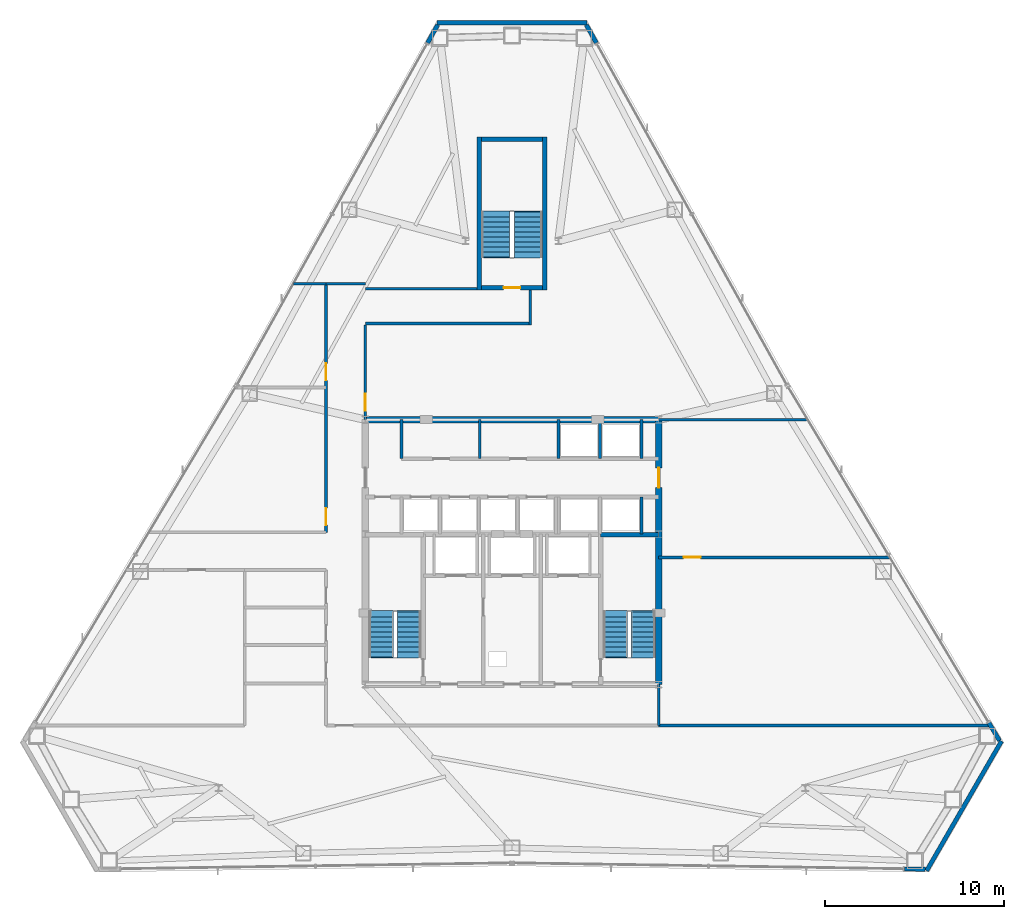
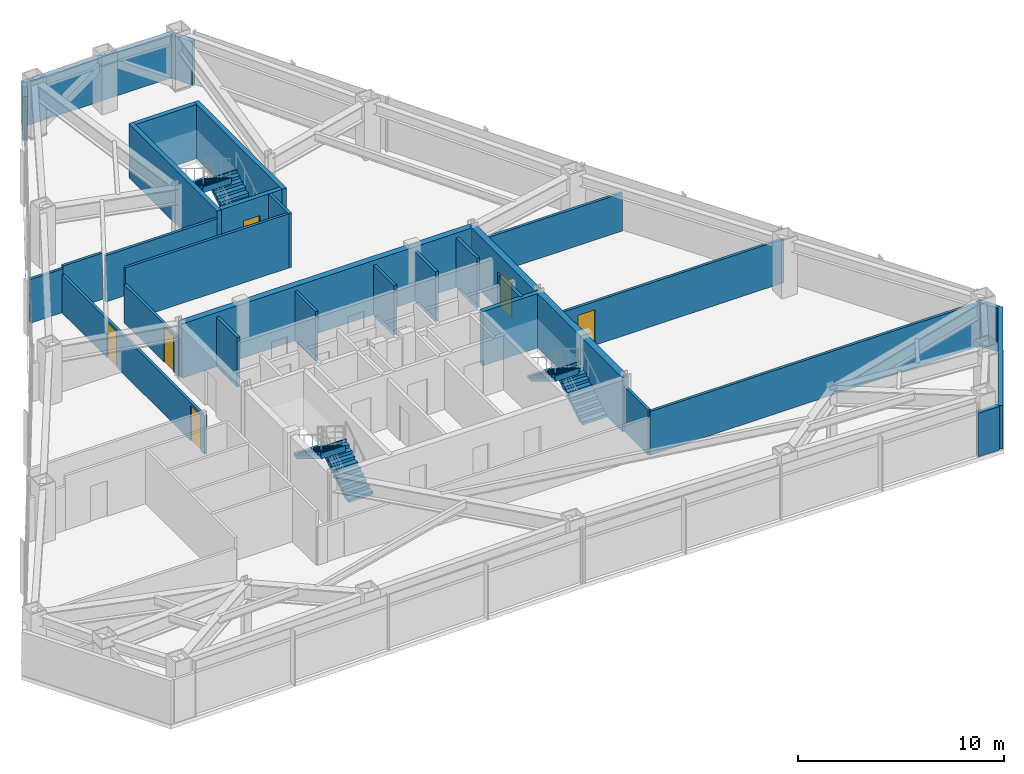
# One storey, part 10 of 11: 30 walls, 6 doors, 6 stair flights, 6 openings, 3 elements without a shape of their own.
"""IFC4 building model written with IfcOpenShell, lengths in metres."""

import ifcopenshell
import ifcopenshell.guid

model = None  # the IFC model being written
_history = None  # IfcOwnerHistory: only IFC2X3 demands one
_inside = {}  # id of a spatial element -> (the spatial element, [elements in it])
_under = {}  # id of a project, library or spatial element -> (it, [spatial elements below it])
_declared = {}  # id of a project -> (the project, [libraries it declares])
_typed = {}  # id of a type object -> (the type object, [elements of that type])
_made_of = {}  # id of a material, layer set ... -> (it, [elements and type objects made of it])


def new_model(schema):
    """Start an empty IFC model of exactly this schema.

    Asked for "IFC4X3", IfcOpenShell would pick the latest addendum, in which some entities
    have other attributes; the version numbers below select the first issue.
    IFC2X3 requires an IfcOwnerHistory on every rooted entity: one is made here for all.
    """
    global model, _history
    if schema == "IFC4X3":
        model = ifcopenshell.file(schema_version=(4, 3, 0, 0))
    else:
        model = ifcopenshell.file(schema=schema)
    _inside.clear()
    _under.clear()
    _declared.clear()
    _typed.clear()
    _made_of.clear()
    _history = None
    if model.schema == "IFC2X3":
        org = make("IfcOrganization", Name="unknown")
        user = make(
            "IfcPersonAndOrganization",
            ThePerson=make("IfcPerson", FamilyName="unknown"),
            TheOrganization=org,
        )
        app = make(
            "IfcApplication",
            ApplicationDeveloper=org,
            Version="unknown",
            ApplicationFullName="unknown",
            ApplicationIdentifier="unknown",
        )
        _history = make(
            "IfcOwnerHistory",
            OwningUser=user,
            OwningApplication=app,
            ChangeAction="ADDED",
            CreationDate=0,
        )
    return model


def make(cls, **values):
    """One entity of the class cls with the attributes given. An attribute that is None is left unset."""
    return model.create_entity(
        cls, **{name: value for name, value in values.items() if value is not None}
    )


def rooted(cls, **values):
    """An entity with a GlobalId (a new one), such as an element, a storey or a relation."""
    return make(cls, GlobalId=ifcopenshell.guid.new(), OwnerHistory=_history, **values)


def si_unit(unit_type, name, prefix=None):
    """IfcSIUnit, for example si_unit("LENGTHUNIT", "METRE", prefix="MILLI")."""
    return make("IfcSIUnit", UnitType=unit_type, Prefix=prefix, Name=name)


def assignment(units):
    """IfcUnitAssignment: the units of a project."""
    return None if units is None else make("IfcUnitAssignment", Units=units)


def point(xyz):
    """IfcCartesianPoint."""
    return None if xyz is None else make("IfcCartesianPoint", Coordinates=xyz)


def direction(xyz):
    """IfcDirection."""
    return None if xyz is None else make("IfcDirection", DirectionRatios=xyz)


def frame(location, z_axis=None, x_axis=None):
    """IfcAxis2Placement3D, a coordinate frame: its origin and axes. An axis left out is left unset."""
    return make(
        "IfcAxis2Placement3D",
        Location=point(location),
        Axis=direction(z_axis),
        RefDirection=direction(x_axis),
    )


def frame_2d(location, x_axis=None):
    """IfcAxis2Placement2D, a coordinate frame in the plane: its origin and x axis."""
    return make(
        "IfcAxis2Placement2D", Location=point(location), RefDirection=direction(x_axis)
    )


def origin():
    """The frame at (0, 0, 0) with its axes left unset."""
    return frame((0.0, 0.0, 0.0))


def place(relative_to, where):
    """IfcLocalPlacement: puts the frame where relative to a parent placement (None: the world)."""
    return make(
        "IfcLocalPlacement", PlacementRelTo=relative_to, RelativePlacement=where
    )


def context(
    kind, dimensions, precision=None, world=None, true_north=None, identifier=None
):
    """IfcGeometricRepresentationContext, for example the 3D "Model" context."""
    return make(
        "IfcGeometricRepresentationContext",
        ContextIdentifier=identifier,
        ContextType=kind,
        CoordinateSpaceDimension=dimensions,
        Precision=precision,
        WorldCoordinateSystem=world,
        TrueNorth=true_north,
    )


def subcontext(parent, identifier, kind, view, scale=None):
    """IfcGeometricRepresentationSubContext, for example "Body" below "Model"."""
    return make(
        "IfcGeometricRepresentationSubContext",
        ContextIdentifier=identifier,
        ContextType=kind,
        ParentContext=parent,
        TargetScale=scale,
        TargetView=view,
    )


def project(units=None, contexts=None):
    """IfcProject with its units and contexts."""
    return rooted(
        "IfcProject",
        Name="project",
        RepresentationContexts=contexts,
        UnitsInContext=assignment(units),
    )


def spatial(cls, under=None, at=None, **own):
    """A site, building, storey or space (cls), placed at a placement, below another one or the project."""
    s = rooted(cls, ObjectPlacement=at, **own)
    if under is not None:
        _under.setdefault(under.id(), (under, []))[1].append(s)
    return s


def polyline(points):
    """IfcPolyline through the points."""
    return make("IfcPolyline", Points=[point(p) for p in points])


def profile(cls, at=None, kind="AREA", **sizes):
    """A parametric profile (cls). Its sizes go by their IFC names, for example OverallWidth=200.0."""
    return make(cls, ProfileType=kind, Position=at, **sizes)


def rectangle(**sizes):
    """IfcRectangleProfileDef."""
    return profile("IfcRectangleProfileDef", **sizes)


def outline(outer, holes=None, kind="AREA"):
    """IfcArbitraryClosedProfileDef: a profile drawn as a closed curve; with holes, ...WithVoids."""
    if holes is None:
        return make("IfcArbitraryClosedProfileDef", ProfileType=kind, OuterCurve=outer)
    return make(
        "IfcArbitraryProfileDefWithVoids",
        ProfileType=kind,
        OuterCurve=outer,
        InnerCurves=holes,
    )


def extrude(swept, where, along, depth):
    """IfcExtrudedAreaSolid: the profile swept, set in the frame where, extruded along a direction by depth."""
    return make(
        "IfcExtrudedAreaSolid",
        SweptArea=swept,
        Position=where,
        ExtrudedDirection=direction(along),
        Depth=depth,
    )


def shape(context_of_items, identifier, shape_type, items):
    """IfcShapeRepresentation: the items that make up one representation, for example the "Body"."""
    return make(
        "IfcShapeRepresentation",
        ContextOfItems=context_of_items,
        RepresentationIdentifier=identifier,
        RepresentationType=shape_type,
        Items=items,
    )


def material(Name=None, Category=None):
    """IfcMaterial."""
    return make("IfcMaterial", Name=Name, Category=Category)


def layer(
    of_material, thickness, ventilated=None, Name=None, Category=None, Priority=None
):
    """IfcMaterialLayer: one layer of a wall or slab, of a material (None: an air gap)."""
    return make(
        "IfcMaterialLayer",
        Material=of_material,
        LayerThickness=thickness,
        IsVentilated=ventilated,
        Name=Name,
        Category=Category,
        Priority=Priority,
    )


def layer_set(layers, Name=None):
    """IfcMaterialLayerSet."""
    return make("IfcMaterialLayerSet", MaterialLayers=layers, LayerSetName=Name)


def made_of(thing, what):
    """Note that an element or type object is made of a material, layer set ...; save() writes the relation."""
    if what is not None:
        _made_of.setdefault(what.id(), (what, []))[1].append(thing)
    return thing


def type_object(cls, material=None, **own):
    """A type object (cls), such as IfcWallType, which elements share."""
    return made_of(rooted(cls, **own), material)


def element(
    cls,
    number,
    at=None,
    inside=None,
    cuts=None,
    type_object=None,
    material=None,
    context=None,
    identifier="Body",
    shape_type=None,
    held_by="IfcProductDefinitionShape",
    body=None,
    shapes=None,
    **own,
):
    """One element of the class cls, such as IfcWall. Its Tag is "e" and its number.

    at: its placement. inside: the storey or other place that contains it. cuts: it is an
    opening in that element (IfcRelVoidsElement). A single representation is given by context,
    identifier, shape_type and body (its items); several are given by shapes. held_by: the class
    of the entity that holds the representations. save() writes the other relations.
    """
    e = rooted(cls, Tag="e%d" % number, ObjectPlacement=at, **own)
    if body is not None:
        shapes = [shape(context, identifier, shape_type, body)]
    if shapes is not None:
        e.Representation = make(held_by, Representations=shapes)
    if inside is not None:
        _inside.setdefault(inside.id(), (inside, []))[1].append(e)
    if cuts is not None:
        rooted(
            "IfcRelVoidsElement", RelatingBuildingElement=cuts, RelatedOpeningElement=e
        )
    if type_object is not None:
        _typed.setdefault(type_object.id(), (type_object, []))[1].append(e)
    return made_of(e, material)


def fill(opening, filler):
    """IfcRelFillsElement: the door or window that sits in an opening."""
    return rooted(
        "IfcRelFillsElement",
        RelatingOpeningElement=opening,
        RelatedBuildingElement=filler,
    )


def aggregate(whole, parts):
    """IfcRelAggregates: a whole, such as a stair, and the parts it consists of."""
    return rooted("IfcRelAggregates", RelatingObject=whole, RelatedObjects=parts)


def save(model, path):
    """Write the relations noted so far, then the file.

    IfcRelAggregates (storeys below a building ...), IfcRelContainedInSpatialStructure (elements
    in a storey), IfcRelDefinesByType, IfcRelAssociatesMaterial and IfcRelDeclares: one each for
    every whole, place, type object, material and project.
    """
    for whole, parts in _under.values():
        aggregate(whole, parts)
    for where, things in _inside.values():
        rooted(
            "IfcRelContainedInSpatialStructure",
            RelatedElements=things,
            RelatingStructure=where,
        )
    for kind, things in _typed.values():
        rooted("IfcRelDefinesByType", RelatedObjects=things, RelatingType=kind)
    for what, things in _made_of.values():
        rooted("IfcRelAssociatesMaterial", RelatedObjects=things, RelatingMaterial=what)
    for by, libraries in _declared.values():
        rooted("IfcRelDeclares", RelatingContext=by, RelatedDefinitions=libraries)
    model.write(path)


model = new_model("IFC4")

# Units and contexts
model_context = context("Model", 3, precision=1e-05, world=origin(), true_north=direction((0.0, 1.0)))
body_context = subcontext(model_context, "Body", "Model", "MODEL_VIEW")
ifc_project = project(units=[si_unit("LENGTHUNIT", "METRE"), si_unit("AREAUNIT", "SQUARE_METRE"), si_unit("VOLUMEUNIT", "CUBIC_METRE"), si_unit("PLANEANGLEUNIT", "RADIAN"), si_unit("MASSUNIT", "GRAM", prefix="KILO")], contexts=[model_context])

# Site, building, storey
site_placement = place(None, origin())
site = spatial("IfcSite", under=ifc_project, at=site_placement, CompositionType="ELEMENT")
building_placement = place(site_placement, origin())
building = spatial("IfcBuilding", under=site, at=building_placement, Name="Varakhsha Concourse Tower", CompositionType="ELEMENT")
storey_placement = place(building_placement, frame((0.0, 0.0, 140.14990234375)))
storey = spatial("IfcBuildingStorey", under=building, at=storey_placement, Name="L40", CompositionType="ELEMENT", Elevation=140.14990234375)

# Wall
ifc_material_1 = material(Name="Concrete fc 65 MPa", Category="concrete")
ifc_layer_1 = layer(ifc_material_1, 0.35009765625, Name="WL-CORE-350")
ifc_layer_set_1 = layer_set([ifc_layer_1], Name="Concrete fc 65 MPa")
wall_type_1 = type_object("IfcWallType", Name="WL-CORE-350", PredefinedType="SHEAR", material=ifc_layer_set_1)
wall_1_placement = place(storey_placement, frame((31.800048828125, 31.199951171875, 0.0), z_axis=(0.0, 0.0, 1.0), x_axis=(1.0, 0.0, 0.0)))
element("IfcWall", 1, at=wall_1_placement, inside=storey, type_object=wall_type_1, Name="L40 Wall CWALL-N-L40", PredefinedType="SHEAR", context=body_context, shape_type="SweptSolid", body=[
    extrude(rectangle(XDim=16.39990234375, YDim=0.35009765625, at=frame_2d((8.199951171875, 0.0))), origin(), (0.0, 0.0, 1.0), 3.210205078125),
])

# Wall, opening, door
wall_2_placement = place(storey_placement, frame((48.199951171875, 16.39990234375, 0.0), z_axis=(0.0, 0.0, 1.0), x_axis=(0.0, 1.0, 0.0)))
wall_2 = element("IfcWall", 2, at=wall_2_placement, inside=storey, type_object=wall_type_1, Name="L40 Wall CWALL-E-L40", PredefinedType="SHEAR", context=body_context, shape_type="SweptSolid", body=[
    extrude(rectangle(XDim=14.800048828125, YDim=0.35009765625, at=frame_2d((7.39990234375, 0.0))), origin(), (0.0, 0.0, 1.0), 3.210205078125),
])
opening_1_placement = place(wall_2_placement, frame((11.0, 0.0, 0.0)))
opening_1 = element("IfcOpeningElement", 3, at=opening_1_placement, cuts=wall_2, Name="Opening DL-01", PredefinedType="OPENING", context=body_context, shape_type="SweptSolid", body=[
    extrude(rectangle(XDim=1.10009765625, YDim=2.14990234375, at=frame_2d((0.550048828125, 1.074951171875))), frame((0.0, 0.18505859375, 0.0), z_axis=(0.0, -1.0, 0.0), x_axis=(1.0, 0.0, 0.0)), (0.0, 0.0, 1.0), 0.3701171875),
])
ifc_material_2 = material(Name="Anodised Bronze Architectural Aluminium AA 6063-T6", Category="aluminium")
door_type_1 = type_object("IfcDoorType", Name="DR-LOB-1100", OperationType="NOTDEFINED", PredefinedType="DOOR", material=ifc_material_2)
door_1_placement = place(opening_1_placement, origin())
door_1 = element("IfcDoor", 4, at=door_1_placement, inside=storey, type_object=door_type_1, Name="L40 Lift Lobby East Concourse Door", OperationType="SINGLE_SWING_RIGHT", OverallHeight=2.14990234375, OverallWidth=1.10009765625, PredefinedType="DOOR", context=body_context, shape_type="SweptSolid", body=[
    extrude(rectangle(XDim=1.10009765625, YDim=2.14990234375, at=frame_2d((0.550048828125, 1.074951171875))), frame((0.0, 0.02490234375, 0.0), z_axis=(0.0, -1.0, 0.0), x_axis=(1.0, 0.0, 0.0)), (0.0, 0.0, 1.0), 0.050048828125),
])
fill(opening_1, door_1)

# Walls
ifc_material_3 = material(Name="Concrete fc 45 MPa", Category="concrete")
ifc_layer_2 = layer(ifc_material_3, 0.239990234375, Name="WL-EXT-CRN-240")
ifc_layer_set_2 = layer_set([ifc_layer_2], Name="Concrete fc 45 MPa")
wall_type_2 = type_object("IfcWallType", Name="WL-EXT-CRN-240", PredefinedType="SHEAR", material=ifc_layer_set_2)
wall_3_placement = place(storey_placement, frame((35.814208984375, 53.39013671875, 0.0), z_axis=(0.0, 0.0, 1.0), x_axis=(1.0, 0.0, 0.0)))
element("IfcWall", 5, at=wall_3_placement, inside=storey, type_object=wall_type_2, Name="L40 Chamfer Wind-Corner Insulated Wall F1", PredefinedType="SHEAR", context=body_context, shape_type="SweptSolid", body=[
    extrude(rectangle(XDim=8.37158203125, YDim=0.239990234375, at=frame_2d((4.185791015625, 0.0))), origin(), (0.0, 0.0, 1.0), 2.5830078125),
])
wall_4_placement = place(storey_placement, frame((35.846923828125, 53.280029296875, 0.0), z_axis=(0.0, 0.0, 1.0), x_axis=(-0.486837240698, -0.873492702356, 0.0)))
element("IfcWall", 6, at=wall_4_placement, inside=storey, type_object=wall_type_2, Name="L40 Wind-Corner Shoulder Wall F2", PredefinedType="SHEAR", context=body_context, shape_type="SweptSolid", body=[
    extrude(rectangle(XDim=1.162353515625, YDim=0.239990234375, at=frame_2d((0.5810546875, 0.0))), origin(), (0.0, 0.0, 1.0), 2.5830078125),
])
wall_5_placement = place(storey_placement, frame((61.945068359375, 6.080810546875, 0.0), z_axis=(0.0, 0.0, 1.0), x_axis=(0.999885668961, -0.015121144332, 0.0)))
element("IfcWall", 7, at=wall_5_placement, inside=storey, type_object=wall_type_2, Name="L40 Wind-Corner Shoulder Wall F6", PredefinedType="SHEAR", context=body_context, shape_type="SweptSolid", body=[
    extrude(rectangle(XDim=1.16259765625, YDim=0.239990234375, at=frame_2d((0.581298828125, 0.0))), origin(), (0.0, 0.0, 1.0), 2.5830078125),
])
wall_6_placement = place(storey_placement, frame((67.372314453125, 13.229736328125, 0.0), z_axis=(0.0, 0.0, 1.0), x_axis=(-0.500012768347, -0.86601803185, 0.0)))
element("IfcWall", 8, at=wall_6_placement, inside=storey, type_object=wall_type_2, Name="L40 Chamfer Wind-Corner Insulated Wall F7", PredefinedType="SHEAR", context=body_context, shape_type="SweptSolid", body=[
    extrude(rectangle(XDim=8.371337890625, YDim=0.239990234375, at=frame_2d((4.185546875, 0.0))), origin(), (0.0, 0.0, 1.0), 2.5830078125),
])
for number, where, z_axis, x_axis, name in (
    (9, (67.260498046875, 13.256591796875, 0.0), (0.0, 0.0, 1.0), (-0.512919581386, 0.858436662213, 0.0), "L40 Wind-Corner Shoulder Wall F8"),
    (10, (44.718994140625, 52.2646484375, 0.0), (0.0, 0.0, 1.0), (-0.486837240698, 0.873492702356, 0.0), "L40 Wind-Corner Shoulder Wall F9"),
):
    element("IfcWall", number, at=place(storey_placement, frame(where, z_axis=z_axis, x_axis=x_axis)), inside=storey, type_object=wall_type_2, Name=name, PredefinedType="SHEAR", context=body_context, shape_type="SweptSolid", body=[
        extrude(rectangle(XDim=1.162353515625, YDim=0.239990234375, at=frame_2d((0.5810546875, 0.0))), origin(), (0.0, 0.0, 1.0), 2.5830078125),
    ])
ifc_material_4 = material(Name="Fire-Rated Type X Gypsum Partition Assembly", Category="gypsum")
ifc_layer_3 = layer(ifc_material_4, 0.14990234375, Name="WL-PART-150")
ifc_layer_set_3 = layer_set([ifc_layer_3], Name="Fire-Rated Type X Gypsum Partition Assembly")
wall_type_3 = type_object("IfcWallType", Name="WL-PART-150", PredefinedType="PARTITIONING", material=ifc_layer_set_3)
wall_7_placement = place(storey_placement, frame((38.199951171875, 29.02001953125, 0.0), z_axis=(0.0, 0.0, 1.0), x_axis=(0.0, 1.0, 0.0)))
element("IfcWall", 11, at=wall_7_placement, inside=storey, type_object=wall_type_3, Name="L40 Wall P1F-D1-L40", PredefinedType="PARTITIONING", context=body_context, shape_type="SweptSolid", body=[
    extrude(rectangle(XDim=2.179931640625, YDim=0.14990234375, at=frame_2d((1.08984375, 0.0))), origin(), (0.0, 0.0, 1.0), 2.93798828125),
])
wall_8_placement = place(storey_placement, frame((48.199951171875, 14.10009765625, 0.0), z_axis=(0.0, 0.0, 1.0), x_axis=(0.0, 1.0, 0.0)))
element("IfcWall", 12, at=wall_8_placement, inside=storey, type_object=wall_type_3, Name="L40 Wall CRW-SE-L40", PredefinedType="PARTITIONING", context=body_context, shape_type="SweptSolid", body=[
    extrude(rectangle(XDim=2.2998046875, YDim=0.14990234375, at=frame_2d((1.14990234375, 0.0))), origin(), (0.0, 0.0, 1.0), 2.6611328125),
])

# Wall, openings, doors
wall_9_placement = place(storey_placement, frame((29.60009765625, 24.89990234375, 0.0), z_axis=(0.0, 0.0, 1.0), x_axis=(0.0, 1.0, 0.0)))
wall_9 = element("IfcWall", 13, at=wall_9_placement, inside=storey, type_object=wall_type_3, Name="L40 Wall CRW-WN-L40", PredefinedType="PARTITIONING", context=body_context, shape_type="SweptSolid", body=[
    extrude(rectangle(XDim=13.900146484375, YDim=0.14990234375, at=frame_2d((6.9501953125, 0.0))), origin(), (0.0, 0.0, 1.0), 2.252197265625),
])
opening_2_placement = place(wall_9_placement, frame((0.39990234375, 0.0, 0.0)))
opening_2 = element("IfcOpeningElement", 14, at=opening_2_placement, cuts=wall_9, Name="Opening DF-05", PredefinedType="OPENING", context=body_context, shape_type="SweptSolid", body=[
    extrude(rectangle(XDim=0.949951171875, YDim=2.10009765625, at=frame_2d((0.47509765625, 1.050048828125))), frame((0.0, 0.0849609375, 0.0), z_axis=(0.0, -1.0, 0.0), x_axis=(1.0, 0.0, 0.0)), (0.0, 0.0, 1.0), 0.169921875),
])
opening_3_placement = place(wall_9_placement, frame((8.5, 0.0, 0.0)))
opening_3 = element("IfcOpeningElement", 15, at=opening_3_placement, cuts=wall_9, Name="Opening DF-05", PredefinedType="OPENING", context=body_context, shape_type="SweptSolid", body=[
    extrude(rectangle(XDim=0.949951171875, YDim=2.10009765625, at=frame_2d((0.47509765625, 1.050048828125))), frame((0.0, 0.0849609375, 0.0), z_axis=(0.0, -1.0, 0.0), x_axis=(1.0, 0.0, 0.0)), (0.0, 0.0, 1.0), 0.169921875),
])
ifc_material_5 = material(Name="Hollow Galvanised Steel Fire Door Assembly", Category="steel")
door_type_2 = type_object("IfcDoorType", Name="DR-FD60-950", OperationType="NOTDEFINED", PredefinedType="DOOR", material=ifc_material_5)
door_2_placement = place(opening_2_placement, origin())
door_2 = element("IfcDoor", 16, at=door_2_placement, inside=storey, type_object=door_type_2, Name="L40 Institutional Client Office L40-NW Door", OperationType="SINGLE_SWING_RIGHT", OverallHeight=2.10009765625, OverallWidth=0.949951171875, PredefinedType="DOOR", context=body_context, shape_type="SweptSolid", body=[
    extrude(rectangle(XDim=0.949951171875, YDim=2.10009765625, at=frame_2d((0.47509765625, 1.050048828125))), frame((0.0, 0.02490234375, 0.0), z_axis=(0.0, -1.0, 0.0), x_axis=(1.0, 0.0, 0.0)), (0.0, 0.0, 1.0), 0.050048828125),
])
fill(opening_2, door_2)
door_3_placement = place(opening_3_placement, origin())
door_3 = element("IfcDoor", 17, at=door_3_placement, inside=storey, type_object=door_type_2, Name="L40 Quantitative Analytics Studio L40-W2 Door", OperationType="SINGLE_SWING_LEFT", OverallHeight=2.10009765625, OverallWidth=0.949951171875, PredefinedType="DOOR", context=body_context, shape_type="SweptSolid", body=[
    extrude(rectangle(XDim=0.949951171875, YDim=2.10009765625, at=frame_2d((0.47509765625, 1.050048828125))), frame((0.0, 0.02490234375, 0.0), z_axis=(0.0, -1.0, 0.0), x_axis=(1.0, 0.0, 0.0)), (0.0, 0.0, 1.0), 0.050048828125),
])
fill(opening_3, door_3)

# Wall, opening, door
wall_10_placement = place(storey_placement, frame((31.800048828125, 31.199951171875, 0.0), z_axis=(0.0, 0.0, 1.0), x_axis=(0.0, 1.0, 0.0)))
wall_10 = element("IfcWall", 18, at=wall_10_placement, inside=storey, type_object=wall_type_3, Name="L40 Wall CRW-NE-L40", PredefinedType="PARTITIONING", context=body_context, shape_type="SweptSolid", body=[
    extrude(rectangle(XDim=5.300048828125, YDim=0.14990234375, at=frame_2d((2.64990234375, 0.0))), origin(), (0.0, 0.0, 1.0), 2.252197265625),
])
opening_4_placement = place(wall_10_placement, frame((0.5, 0.0, 0.0)))
opening_4 = element("IfcOpeningElement", 19, at=opening_4_placement, cuts=wall_10, Name="Opening DF-05", PredefinedType="OPENING", context=body_context, shape_type="SweptSolid", body=[
    extrude(rectangle(XDim=0.949951171875, YDim=2.10009765625, at=frame_2d((0.47509765625, 1.050048828125))), frame((0.0, 0.0849609375, 0.0), z_axis=(0.0, -1.0, 0.0), x_axis=(1.0, 0.0, 0.0)), (0.0, 0.0, 1.0), 0.169921875),
])
door_4_placement = place(opening_4_placement, origin())
door_4 = element("IfcDoor", 20, at=door_4_placement, inside=storey, type_object=door_type_2, Name="L40 Mountain View Portfolio Risk Office L40-NE1 Door", OperationType="SINGLE_SWING_RIGHT", OverallHeight=2.10009765625, OverallWidth=0.949951171875, PredefinedType="DOOR", context=body_context, shape_type="SweptSolid", body=[
    extrude(rectangle(XDim=0.949951171875, YDim=2.10009765625, at=frame_2d((0.47509765625, 1.050048828125))), frame((0.0, 0.02490234375, 0.0), z_axis=(0.0, -1.0, 0.0), x_axis=(1.0, 0.0, 0.0)), (0.0, 0.0, 1.0), 0.050048828125),
])
fill(opening_4, door_4)

# Walls
wall_11_placement = place(storey_placement, frame((29.60009765625, 38.800048828125, 0.0), z_axis=(0.0, 0.0, 1.0), x_axis=(1.0, 0.0, 0.0)))
element("IfcWall", 21, at=wall_11_placement, inside=storey, type_object=wall_type_3, Name="L40 Wall CRW-NCAP-L40", PredefinedType="PARTITIONING", context=body_context, shape_type="SweptSolid", body=[
    extrude(rectangle(XDim=2.199951171875, YDim=0.14990234375, at=frame_2d((1.10009765625, 0.0))), origin(), (0.0, 0.0, 1.0), 2.7431640625),
])
wall_12_placement = place(storey_placement, frame((27.781005859375, 38.800048828125, 0.0), z_axis=(0.0, 0.0, 1.0), x_axis=(1.0, 0.0, 0.0)))
element("IfcWall", 22, at=wall_12_placement, inside=storey, type_object=wall_type_3, Name="L40 Wall ODIV-NWT-L40", PredefinedType="PARTITIONING", context=body_context, shape_type="SweptSolid", body=[
    extrude(rectangle(XDim=1.819091796875, YDim=0.14990234375, at=frame_2d((0.90966796875, 0.0))), origin(), (0.0, 0.0, 1.0), 2.589111328125),
])
wall_13_placement = place(storey_placement, frame((48.199951171875, 31.199951171875, 0.0), z_axis=(0.0, 0.0, 1.0), x_axis=(1.0, 0.0, 0.0)))
element("IfcWall", 23, at=wall_13_placement, inside=storey, type_object=wall_type_3, Name="L40 Wall ODIV-NEB-L40", PredefinedType="PARTITIONING", context=body_context, shape_type="SweptSolid", body=[
    extrude(rectangle(XDim=8.33154296875, YDim=0.14990234375, at=frame_2d((4.165771484375, 0.0))), origin(), (0.0, 0.0, 1.0), 2.252197265625),
])
wall_14_placement = place(storey_placement, frame((48.199951171875, 14.10009765625, 0.0), z_axis=(0.0, 0.0, 1.0), x_axis=(1.0, 0.0, 0.0)))
element("IfcWall", 24, at=wall_14_placement, inside=storey, type_object=wall_type_3, Name="L40 Wall ODIV-EB0-L40", PredefinedType="PARTITIONING", context=body_context, shape_type="SweptSolid", body=[
    extrude(rectangle(XDim=18.55078125, YDim=0.14990234375, at=frame_2d((9.275390625, 0.0))), origin(), (0.0, 0.0, 1.0), 2.589111328125),
])

# Wall, opening, door
wall_15_placement = place(storey_placement, frame((48.199951171875, 23.5, 0.0), z_axis=(0.0, 0.0, 1.0), x_axis=(1.0, 0.0, 0.0)))
wall_15 = element("IfcWall", 25, at=wall_15_placement, inside=storey, type_object=wall_type_3, Name="L40 Wall ODIV-E1-L40", PredefinedType="PARTITIONING", context=body_context, shape_type="SweptSolid", body=[
    extrude(rectangle(XDim=12.933349609375, YDim=0.14990234375, at=frame_2d((6.466796875, 0.0))), origin(), (0.0, 0.0, 1.0), 2.589111328125),
])
opening_5_placement = place(wall_15_placement, frame((1.39990234375, 0.0, 0.0)))
opening_5 = element("IfcOpeningElement", 26, at=opening_5_placement, cuts=wall_15, Name="Opening DF-05", PredefinedType="OPENING", context=body_context, shape_type="SweptSolid", body=[
    extrude(rectangle(XDim=0.949951171875, YDim=2.10009765625, at=frame_2d((0.47509765625, 1.050048828125))), frame((0.0, 0.0849609375, 0.0), z_axis=(0.0, -1.0, 0.0), x_axis=(1.0, 0.0, 0.0)), (0.0, 0.0, 1.0), 0.169921875),
])
door_5_placement = place(opening_5_placement, origin())
door_5 = element("IfcDoor", 27, at=door_5_placement, inside=storey, type_object=door_type_2, Name="L40 East Suite Interconnect Door 1", OperationType="SINGLE_SWING_LEFT", OverallHeight=2.10009765625, OverallWidth=0.949951171875, PredefinedType="DOOR", context=body_context, shape_type="SweptSolid", body=[
    extrude(rectangle(XDim=0.949951171875, YDim=2.10009765625, at=frame_2d((0.47509765625, 1.050048828125))), frame((0.0, 0.02490234375, 0.0), z_axis=(0.0, -1.0, 0.0), x_axis=(1.0, 0.0, 0.0)), (0.0, 0.0, 1.0), 0.050048828125),
])
fill(opening_5, door_5)

# Walls
wall_16_placement = place(storey_placement, frame((31.800048828125, 36.574951171875, 0.0), z_axis=(0.0, 0.0, 1.0), x_axis=(1.0, 0.0, 0.0)))
element("IfcWall", 28, at=wall_16_placement, inside=storey, type_object=wall_type_3, Name="L40 Wall STLK-S-L40", PredefinedType="PARTITIONING", context=body_context, shape_type="SweptSolid", body=[
    extrude(rectangle(XDim=9.14990234375, YDim=0.14990234375, at=frame_2d((4.574951171875, 0.0))), origin(), (0.0, 0.0, 1.0), 3.210205078125),
])
wall_17_placement = place(storey_placement, frame((31.800048828125, 38.52490234375, 0.0), z_axis=(0.0, 0.0, 1.0), x_axis=(1.0, 0.0, 0.0)))
element("IfcWall", 29, at=wall_17_placement, inside=storey, type_object=wall_type_3, Name="L40 Wall STLK-N-L40", PredefinedType="PARTITIONING", context=body_context, shape_type="SweptSolid", body=[
    extrude(rectangle(XDim=6.25, YDim=0.14990234375, at=frame_2d((3.125, 0.0))), origin(), (0.0, 0.0, 1.0), 2.7431640625),
])
wall_18_placement = place(storey_placement, frame((41.02490234375, 36.5, 0.0), z_axis=(0.0, 0.0, 1.0), x_axis=(0.0, 1.0, 0.0)))
element("IfcWall", 30, at=wall_18_placement, inside=storey, type_object=wall_type_3, Name="L40 Wall STLK-E-L40", PredefinedType="PARTITIONING", context=body_context, shape_type="SweptSolid", body=[
    extrude(rectangle(XDim=1.949951171875, YDim=0.14990234375, at=frame_2d((0.97509765625, 0.0))), origin(), (0.0, 0.0, 1.0), 3.210205078125),
])
ifc_layer_4 = layer(ifc_material_4, 0.199951171875, Name="WL-SHAFT-220")
ifc_layer_set_4 = layer_set([ifc_layer_4], Name="Fire-Rated Type X Gypsum Partition Assembly")
wall_type_4 = type_object("IfcWallType", Name="WL-SHAFT-220", PredefinedType="SOLIDWALL", material=ifc_layer_set_4)
for number, where, z_axis, x_axis, name in (
    (31, (33.820068359375, 29.02001953125, 0.0), (0.0, 0.0, 1.0), (0.0, 1.0, 0.0), "L40 Wall WBOH-E1-L40"),
    (32, (42.60009765625, 29.02001953125, 0.0), (0.0, 0.0, 1.0), (0.0, 1.0, 0.0), "L40 Wall SHW-LF-P09-W-L40"),
    (33, (44.919921875, 29.02001953125, 0.0), (0.0, 0.0, 1.0), (0.0, 1.0, 0.0), "L40 Wall SHW-LF-P09-E-L40"),
    (34, (47.239990234375, 29.02001953125, 0.0), (0.0, 0.0, 1.0), (0.0, 1.0, 0.0), "L40 Wall SHW-LF-P10-E-L40"),
):
    element("IfcWall", number, at=place(storey_placement, frame(where, z_axis=z_axis, x_axis=x_axis)), inside=storey, type_object=wall_type_4, Name=name, PredefinedType="SOLIDWALL", context=body_context, shape_type="SweptSolid", body=[
        extrude(rectangle(XDim=2.179931640625, YDim=0.159912109375, at=frame_2d((1.08984375, 0.0))), origin(), (0.0, 0.0, 1.0), 2.93798828125),
    ])
wall_19_placement = place(storey_placement, frame((47.239990234375, 24.800048828125, 0.0), z_axis=(0.0, 0.0, 1.0), x_axis=(0.0, 1.0, 0.0)))
element("IfcWall", 35, at=wall_19_placement, inside=storey, type_object=wall_type_4, Name="L40 Wall SHW-LF-P12-E-L40", PredefinedType="SOLIDWALL", context=body_context, shape_type="SweptSolid", body=[
    extrude(rectangle(XDim=2.079833984375, YDim=0.159912109375, at=frame_2d((1.0400390625, 0.0))), origin(), (0.0, 0.0, 1.0), 3.210205078125),
])
ifc_layer_5 = layer(ifc_material_3, 0.25, Name="WL-STAIR-250")
ifc_layer_set_5 = layer_set([ifc_layer_5], Name="Concrete fc 45 MPa")
wall_type_5 = type_object("IfcWallType", Name="WL-STAIR-250", PredefinedType="SHEAR", material=ifc_layer_set_5)
wall_20_placement = place(storey_placement, frame((44.955078125, 24.7548828125, 0.0), z_axis=(0.0, 0.0, 1.0), x_axis=(1.0, 0.0, 0.0)))
element("IfcWall", 36, at=wall_20_placement, inside=storey, type_object=wall_type_5, Name="L40 Wall SWALL-ST2-N-L40", PredefinedType="SHEAR", context=body_context, shape_type="SweptSolid", body=[
    extrude(rectangle(XDim=3.244873046875, YDim=0.25, at=frame_2d((1.62255859375, 0.0))), origin(), (0.0, 0.0, 1.0), 3.210205078125),
])
for number, where, z_axis, x_axis, name in (
    (37, (38.175048828125, 38.449951171875, 0.0), (0.0, 0.0, 1.0), (0.0, 1.0, 0.0), "L40 Wall SWALL-ST5-W-L40"),
    (38, (41.824951171875, 38.449951171875, 0.0), (0.0, 0.0, 1.0), (0.0, 1.0, 0.0), "L40 Wall SWALL-ST5-E-L40"),
):
    element("IfcWall", number, at=place(storey_placement, frame(where, z_axis=z_axis, x_axis=x_axis)), inside=storey, type_object=wall_type_5, Name=name, PredefinedType="SHEAR", context=body_context, shape_type="SweptSolid", body=[
        extrude(rectangle(XDim=8.550048828125, YDim=0.25, at=frame_2d((4.27490234375, 0.0))), origin(), (0.0, 0.0, 1.0), 3.210205078125),
    ])

# Wall, opening, door
wall_21_placement = place(storey_placement, frame((38.300048828125, 38.574951171875, 0.0), z_axis=(0.0, 0.0, 1.0), x_axis=(1.0, 0.0, 0.0)))
wall_21 = element("IfcWall", 39, at=wall_21_placement, inside=storey, type_object=wall_type_5, Name="L40 Wall SWALL-ST5-S-L40", PredefinedType="SHEAR", context=body_context, shape_type="SweptSolid", body=[
    extrude(rectangle(XDim=3.39990234375, YDim=0.25, at=frame_2d((1.699951171875, 0.0))), origin(), (0.0, 0.0, 1.0), 3.210205078125),
])
opening_6_placement = place(wall_21_placement, frame((1.22509765625, 0.0, 0.0)))
opening_6 = element("IfcOpeningElement", 40, at=opening_6_placement, cuts=wall_21, Name="Opening DF-03", PredefinedType="OPENING", context=body_context, shape_type="SweptSolid", body=[
    extrude(rectangle(XDim=0.949951171875, YDim=2.10009765625, at=frame_2d((0.47509765625, 1.050048828125))), frame((0.0, 0.135009765625, 0.0), z_axis=(0.0, -1.0, 0.0), x_axis=(1.0, 0.0, 0.0)), (0.0, 0.0, 1.0), 0.27001953125),
])
door_type_3 = type_object("IfcDoorType", Name="DR-FD90-950", OperationType="NOTDEFINED", PredefinedType="DOOR", material=ifc_material_5)
door_6_placement = place(opening_6_placement, origin())
door_6 = element("IfcDoor", 41, at=door_6_placement, inside=storey, type_object=door_type_3, Name="L40 Stair ST5 Fire Door", OperationType="SINGLE_SWING_RIGHT", OverallHeight=2.10009765625, OverallWidth=0.949951171875, PredefinedType="DOOR", context=body_context, shape_type="SweptSolid", body=[
    extrude(rectangle(XDim=0.949951171875, YDim=2.10009765625, at=frame_2d((0.47509765625, 1.050048828125))), frame((0.0, 0.02490234375, 0.0), z_axis=(0.0, -1.0, 0.0), x_axis=(1.0, 0.0, 0.0)), (0.0, 0.0, 1.0), 0.050048828125),
])
fill(opening_6, door_6)

# Wall
wall_22_placement = place(storey_placement, frame((38.300048828125, 46.875, 0.0), z_axis=(0.0, 0.0, 1.0), x_axis=(1.0, 0.0, 0.0)))
element("IfcWall", 42, at=wall_22_placement, inside=storey, type_object=wall_type_5, Name="L40 Wall SWALL-ST5-N-L40", PredefinedType="SHEAR", context=body_context, shape_type="SweptSolid", body=[
    extrude(rectangle(XDim=3.39990234375, YDim=0.25, at=frame_2d((1.699951171875, 0.0))), origin(), (0.0, 0.0, 1.0), 3.210205078125),
])

# Stair, stair flights
stair_type_1 = type_object("IfcStairType", Name="ST-DOGLEG-1360", PredefinedType="HALF_TURN_STAIR", material=ifc_material_3)
stair_1_placement = place(storey_placement, origin())
stair_1 = element("IfcStair", 43, at=stair_1_placement, inside=storey, type_object=stair_type_1, Name="L40 Protected Exit Stair ST1", PredefinedType="HALF_TURN_STAIR")
stair_flight_type_1 = type_object("IfcStairFlightType", Name="STF-1360-R1725", PredefinedType="STRAIGHT", material=ifc_material_3)
stair_flight_1_placement = place(storey_placement, frame((34.239990234375, 17.93994140625, 0.0), z_axis=(0.0, 0.0, 1.0), x_axis=(0.0, 1.0, 0.0)))
stair_flight_1 = element("IfcStairFlight", 44, at=stair_flight_1_placement, type_object=stair_flight_type_1, Name="ST1 flight 1", NumberOfRisers=10, NumberOfTreads=9, PredefinedType="STRAIGHT", RiserHeight=0.1725, TreadLength=0.28, context=body_context, shape_type="SweptSolid", body=[
    extrude(outline(polyline([(-0.06005859375, 0.0), (-0.06005859375, 0.172607421875), (0.0, 0.172607421875), (0.280029296875, 0.172607421875), (0.280029296875, 0.344970703125), (0.56005859375, 0.344970703125), (0.56005859375, 0.517578125), (0.840087890625, 0.517578125), (0.840087890625, 0.68994140625), (1.1201171875, 0.68994140625), (1.1201171875, 0.862548828125), (1.39990234375, 0.862548828125), (1.39990234375, 1.034912109375), (1.679931640625, 1.034912109375), (1.679931640625, 1.20751953125), (1.9599609375, 1.20751953125), (1.9599609375, 1.3798828125), (2.239990234375, 1.3798828125), (2.239990234375, 1.552490234375), (2.52001953125, 1.552490234375), (2.52001953125, 1.72509765625), (2.580078125, 1.72509765625), (2.580078125, 1.37646484375), (2.52001953125, 1.37646484375), (0.285888671875, 0.0), (-0.06005859375, 0.0)])), frame((0.0, 0.68017578125, 0.0), z_axis=(0.0, -1.0, 0.0), x_axis=(1.0, 0.0, 0.0)), (0.0, 0.0, 1.0), 1.360107421875),
])
stair_flight_2_placement = place(storey_placement, frame((32.679931640625, 20.4599609375, 1.72509765625), z_axis=(0.0, 0.0, 1.0), x_axis=(0.0, -1.0, 0.0)))
stair_flight_2 = element("IfcStairFlight", 45, at=stair_flight_2_placement, type_object=stair_flight_type_1, Name="ST1 flight 2", NumberOfRisers=10, NumberOfTreads=9, PredefinedType="STRAIGHT", RiserHeight=0.1725, TreadLength=0.28, context=body_context, shape_type="SweptSolid", body=[
    extrude(outline(polyline([(-0.06005859375, 0.0), (-0.06005859375, 0.172607421875), (0.0, 0.172607421875), (0.280029296875, 0.172607421875), (0.280029296875, 0.344970703125), (0.56005859375, 0.344970703125), (0.56005859375, 0.517578125), (0.840087890625, 0.517578125), (0.840087890625, 0.68994140625), (1.1201171875, 0.68994140625), (1.1201171875, 0.862548828125), (1.39990234375, 0.862548828125), (1.39990234375, 1.034912109375), (1.679931640625, 1.034912109375), (1.679931640625, 1.20751953125), (1.9599609375, 1.20751953125), (1.9599609375, 1.3798828125), (2.239990234375, 1.3798828125), (2.239990234375, 1.552490234375), (2.52001953125, 1.552490234375), (2.52001953125, 1.72509765625), (2.580078125, 1.72509765625), (2.580078125, 1.37646484375), (2.52001953125, 1.37646484375), (0.285888671875, 0.0), (-0.06005859375, 0.0)])), frame((0.0, 0.68017578125, 0.0), z_axis=(0.0, -1.0, 0.0), x_axis=(1.0, 0.0, 0.0)), (0.0, 0.0, 1.0), 1.360107421875),
])
aggregate(stair_1, [stair_flight_1, stair_flight_2])

stair_2_placement = place(storey_placement, origin())
stair_2 = element("IfcStair", 46, at=stair_2_placement, inside=storey, type_object=stair_type_1, Name="L40 Protected Exit Stair ST2", PredefinedType="HALF_TURN_STAIR")
stair_flight_3_placement = place(storey_placement, frame((47.340087890625, 17.93994140625, 0.0), z_axis=(0.0, 0.0, 1.0), x_axis=(0.0, 1.0, 0.0)))
stair_flight_3 = element("IfcStairFlight", 47, at=stair_flight_3_placement, type_object=stair_flight_type_1, Name="ST2 flight 1", NumberOfRisers=10, NumberOfTreads=9, PredefinedType="STRAIGHT", RiserHeight=0.1725, TreadLength=0.28, context=body_context, shape_type="SweptSolid", body=[
    extrude(outline(polyline([(-0.06005859375, 0.0), (-0.06005859375, 0.172607421875), (0.0, 0.172607421875), (0.280029296875, 0.172607421875), (0.280029296875, 0.344970703125), (0.56005859375, 0.344970703125), (0.56005859375, 0.517578125), (0.840087890625, 0.517578125), (0.840087890625, 0.68994140625), (1.1201171875, 0.68994140625), (1.1201171875, 0.862548828125), (1.39990234375, 0.862548828125), (1.39990234375, 1.034912109375), (1.679931640625, 1.034912109375), (1.679931640625, 1.20751953125), (1.9599609375, 1.20751953125), (1.9599609375, 1.3798828125), (2.239990234375, 1.3798828125), (2.239990234375, 1.552490234375), (2.52001953125, 1.552490234375), (2.52001953125, 1.72509765625), (2.580078125, 1.72509765625), (2.580078125, 1.37646484375), (2.52001953125, 1.37646484375), (0.285888671875, 0.0), (-0.06005859375, 0.0)])), frame((0.0, 0.68017578125, 0.0), z_axis=(0.0, -1.0, 0.0), x_axis=(1.0, 0.0, 0.0)), (0.0, 0.0, 1.0), 1.360107421875),
])
stair_flight_4_placement = place(storey_placement, frame((45.780029296875, 20.4599609375, 1.72509765625), z_axis=(0.0, 0.0, 1.0), x_axis=(0.0, -1.0, 0.0)))
stair_flight_4 = element("IfcStairFlight", 48, at=stair_flight_4_placement, type_object=stair_flight_type_1, Name="ST2 flight 2", NumberOfRisers=10, NumberOfTreads=9, PredefinedType="STRAIGHT", RiserHeight=0.1725, TreadLength=0.28, context=body_context, shape_type="SweptSolid", body=[
    extrude(outline(polyline([(-0.06005859375, 0.0), (-0.06005859375, 0.172607421875), (0.0, 0.172607421875), (0.280029296875, 0.172607421875), (0.280029296875, 0.344970703125), (0.56005859375, 0.344970703125), (0.56005859375, 0.517578125), (0.840087890625, 0.517578125), (0.840087890625, 0.68994140625), (1.1201171875, 0.68994140625), (1.1201171875, 0.862548828125), (1.39990234375, 0.862548828125), (1.39990234375, 1.034912109375), (1.679931640625, 1.034912109375), (1.679931640625, 1.20751953125), (1.9599609375, 1.20751953125), (1.9599609375, 1.3798828125), (2.239990234375, 1.3798828125), (2.239990234375, 1.552490234375), (2.52001953125, 1.552490234375), (2.52001953125, 1.72509765625), (2.580078125, 1.72509765625), (2.580078125, 1.37646484375), (2.52001953125, 1.37646484375), (0.285888671875, 0.0), (-0.06005859375, 0.0)])), frame((0.0, 0.68017578125, 0.0), z_axis=(0.0, -1.0, 0.0), x_axis=(1.0, 0.0, 0.0)), (0.0, 0.0, 1.0), 1.360107421875),
])
aggregate(stair_2, [stair_flight_3, stair_flight_4])

stair_type_2 = type_object("IfcStairType", Name="ST-DOGLEG-1600", PredefinedType="HALF_TURN_STAIR", material=ifc_material_3)
stair_3_placement = place(storey_placement, origin())
stair_3 = element("IfcStair", 49, at=stair_3_placement, inside=storey, type_object=stair_type_2, Name="L40 Protected Exit Stair ST5", PredefinedType="HALF_TURN_STAIR")
stair_flight_type_2 = type_object("IfcStairFlightType", Name="STF-1600-R1725", PredefinedType="STRAIGHT", material=ifc_material_3)
stair_flight_5_placement = place(storey_placement, frame((40.89990234375, 40.300048828125, 0.0), z_axis=(0.0, 0.0, 1.0), x_axis=(0.0, 1.0, 0.0)))
stair_flight_5 = element("IfcStairFlight", 50, at=stair_flight_5_placement, type_object=stair_flight_type_2, Name="ST5 flight 1", NumberOfRisers=10, NumberOfTreads=9, PredefinedType="STRAIGHT", RiserHeight=0.1725, TreadLength=0.28, context=body_context, shape_type="SweptSolid", body=[
    extrude(outline(polyline([(-0.06005859375, 0.0), (-0.06005859375, 0.172607421875), (0.0, 0.172607421875), (0.280029296875, 0.172607421875), (0.280029296875, 0.344970703125), (0.56005859375, 0.344970703125), (0.56005859375, 0.517578125), (0.840087890625, 0.517578125), (0.840087890625, 0.68994140625), (1.1201171875, 0.68994140625), (1.1201171875, 0.862548828125), (1.39990234375, 0.862548828125), (1.39990234375, 1.034912109375), (1.679931640625, 1.034912109375), (1.679931640625, 1.20751953125), (1.9599609375, 1.20751953125), (1.9599609375, 1.3798828125), (2.239990234375, 1.3798828125), (2.239990234375, 1.552490234375), (2.52001953125, 1.552490234375), (2.52001953125, 1.72509765625), (2.580078125, 1.72509765625), (2.580078125, 1.37646484375), (2.52001953125, 1.37646484375), (0.285888671875, 0.0), (-0.06005859375, 0.0)])), frame((0.0, 0.800048828125, 0.0), z_axis=(0.0, -1.0, 0.0), x_axis=(1.0, 0.0, 0.0)), (0.0, 0.0, 1.0), 1.60009765625),
])
stair_flight_6_placement = place(storey_placement, frame((39.10009765625, 42.820068359375, 1.72509765625), z_axis=(0.0, 0.0, 1.0), x_axis=(0.0, -1.0, 0.0)))
stair_flight_6 = element("IfcStairFlight", 51, at=stair_flight_6_placement, type_object=stair_flight_type_2, Name="ST5 flight 2", NumberOfRisers=10, NumberOfTreads=9, PredefinedType="STRAIGHT", RiserHeight=0.1725, TreadLength=0.28, context=body_context, shape_type="SweptSolid", body=[
    extrude(outline(polyline([(-0.06005859375, 0.0), (-0.06005859375, 0.172607421875), (0.0, 0.172607421875), (0.280029296875, 0.172607421875), (0.280029296875, 0.344970703125), (0.56005859375, 0.344970703125), (0.56005859375, 0.517578125), (0.840087890625, 0.517578125), (0.840087890625, 0.68994140625), (1.1201171875, 0.68994140625), (1.1201171875, 0.862548828125), (1.39990234375, 0.862548828125), (1.39990234375, 1.034912109375), (1.679931640625, 1.034912109375), (1.679931640625, 1.20751953125), (1.9599609375, 1.20751953125), (1.9599609375, 1.3798828125), (2.239990234375, 1.3798828125), (2.239990234375, 1.552490234375), (2.52001953125, 1.552490234375), (2.52001953125, 1.72509765625), (2.580078125, 1.72509765625), (2.580078125, 1.37646484375), (2.52001953125, 1.37646484375), (0.285888671875, 0.0), (-0.06005859375, 0.0)])), frame((0.0, 0.800048828125, 0.0), z_axis=(0.0, -1.0, 0.0), x_axis=(1.0, 0.0, 0.0)), (0.0, 0.0, 1.0), 1.60009765625),
])
aggregate(stair_3, [stair_flight_5, stair_flight_6])

save(model, "model.ifc")
